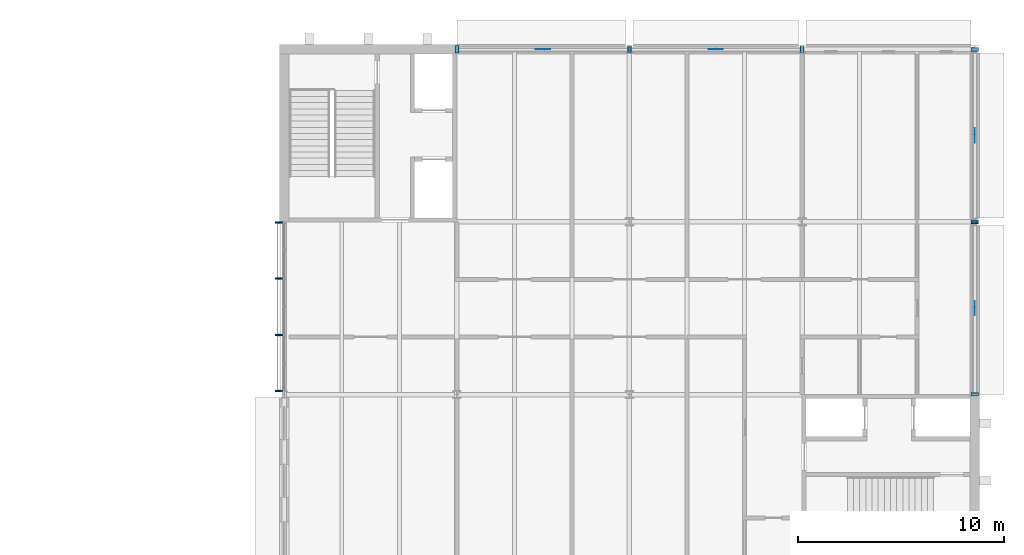
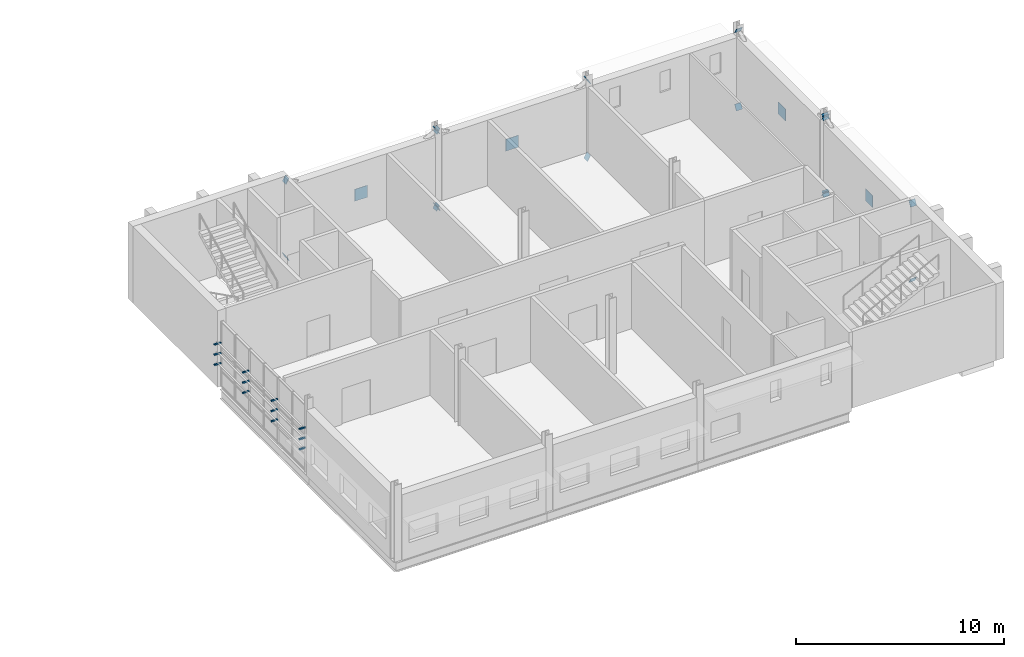
# One storey, part 41 of 42: 32 discrete accessories.
"""IFC4 building model written with IfcOpenShell, lengths in metres."""

from ifc_helpers import new_model, si_unit, direction, frame, origin, origin_2d, place, context, subcontext, project, spatial, rectangle, extrude, material, material_profile, profile_set, type_object, element, save


model = new_model("IFC4")

# Units and contexts
model_context = context("Model", 3, precision=1e-05, world=origin(), true_north=direction((0.0, 1.0)))
body_context = subcontext(model_context, "Body", "Model", "MODEL_VIEW")
ifc_project = project(units=[si_unit("LENGTHUNIT", "METRE"), si_unit("AREAUNIT", "SQUARE_METRE"), si_unit("VOLUMEUNIT", "CUBIC_METRE"), si_unit("PLANEANGLEUNIT", "RADIAN"), si_unit("MASSUNIT", "GRAM", prefix="KILO")], contexts=[model_context])

# Site, building, storey
site_placement = place(None, origin())
site = spatial("IfcSite", under=ifc_project, at=site_placement, CompositionType="ELEMENT")
building_placement = place(site_placement, origin())
building = spatial("IfcBuilding", under=site, at=building_placement, Name="Ardhachandra Cancer Care Centre", CompositionType="ELEMENT")
storey_placement = place(building_placement, frame((0.0, 0.0, 22.5)))
storey = spatial("IfcBuildingStorey", under=building, at=storey_placement, Name="L05", CompositionType="ELEMENT", Elevation=22.5)

# Discrete accessories
ifc_material_1 = material(Name="Steel E250 (IS 2062)", Category="steel")
ifc_material_profile_1 = material_profile(ifc_material_1, rectangle(XDim=0.344482421875, YDim=0.344482421875, at=origin_2d()), Name="PL 344x344x20")
ifc_profile_set_1 = profile_set([ifc_material_profile_1], Name="Steel E250 (IS 2062)")
discrete_accessory_type_1 = type_object("IfcDiscreteAccessoryType", Name="Brace end plate 344 x 344 x 20", PredefinedType="BRACKET", material=ifc_profile_set_1)
for number, where, z_axis, x_axis, name in (
    (1, (120.0, 105.0, -0.425048828125), (0.879291966537, 0.0, 0.476283148541), (0.0, 1.0, 0.0), "Brace end plate V5-X1050-1200 L05 A0"),
    (2, (128.39990234375, 105.0, 4.10009765625), (-0.879291966537, 0.0, -0.476283148541), (0.0, -1.0, 0.0), "Brace end plate V5-X1050-1200 L05 A1"),
    (3, (128.39990234375, 105.0, -0.425048828125), (-0.879291966537, 0.0, 0.476283148541), (0.0, -1.0, 0.0), "Brace end plate V5-X1050-1200 L05 B10"),
    (4, (120.0, 105.0, 4.10009765625), (0.879291966537, 0.0, -0.476283148541), (0.0, 1.0, 0.0), "Brace end plate V5-X1050-1200 L05 B21"),
):
    element("IfcDiscreteAccessory", number, at=place(storey_placement, frame(where, z_axis=z_axis, x_axis=x_axis)), inside=storey, type_object=discrete_accessory_type_1, Name=name, PredefinedType="BRACKET", context=body_context, shape_type="SweptSolid", body=[
        extrude(rectangle(XDim=0.344482421875, YDim=0.344482421875, at=origin_2d()), origin(), (0.0, 0.0, 1.0), 0.02001953125),
    ])
discrete_accessory_1_placement = place(storey_placement, frame((128.39990234375, 105.0, -0.425048828125), z_axis=(0.882018256262, 0.0, 0.471215232798), x_axis=(0.0, 1.0, 0.0)))
element("IfcDiscreteAccessory", 5, at=discrete_accessory_1_placement, inside=storey, type_object=discrete_accessory_type_1, Name="Brace end plate V5-X1050-1284 L05 A0", PredefinedType="BRACKET", context=body_context, shape_type="SweptSolid", body=[
    extrude(rectangle(XDim=0.344482421875, YDim=0.344482421875, at=origin_2d()), origin(), (0.0, 0.0, 1.0), 0.020263671875),
])
for number, where, z_axis, x_axis, name in (
    (6, (136.800048828125, 105.0, 4.10009765625), (-0.879291966537, 0.0, -0.476283148541), (0.0, -1.0, 0.0), "Brace end plate V5-X1050-1284 L05 A1"),
    (7, (136.800048828125, 105.0, -0.425048828125), (-0.879291966537, 0.0, 0.476283148541), (0.0, -1.0, 0.0), "Brace end plate V5-X1050-1284 L05 B10"),
):
    element("IfcDiscreteAccessory", number, at=place(storey_placement, frame(where, z_axis=z_axis, x_axis=x_axis)), inside=storey, type_object=discrete_accessory_type_1, Name=name, PredefinedType="BRACKET", context=body_context, shape_type="SweptSolid", body=[
        extrude(rectangle(XDim=0.344482421875, YDim=0.344482421875, at=origin_2d()), origin(), (0.0, 0.0, 1.0), 0.02001953125),
    ])
discrete_accessory_2_placement = place(storey_placement, frame((128.39990234375, 105.0, 4.10009765625), z_axis=(0.882018256262, 0.0, -0.471215232798), x_axis=(0.0, 1.0, 0.0)))
element("IfcDiscreteAccessory", 8, at=discrete_accessory_2_placement, inside=storey, type_object=discrete_accessory_type_1, Name="Brace end plate V5-X1050-1284 L05 B21", PredefinedType="BRACKET", context=body_context, shape_type="SweptSolid", body=[
    extrude(rectangle(XDim=0.344482421875, YDim=0.344482421875, at=origin_2d()), origin(), (0.0, 0.0, 1.0), 0.020263671875),
])
discrete_accessory_3_placement = place(storey_placement, frame((145.199951171875, 88.199951171875, -0.425048828125), z_axis=(0.0, 0.879291966537, 0.476283148541), x_axis=(-1.0, 0.0, 0.0)))
element("IfcDiscreteAccessory", 9, at=discrete_accessory_3_placement, inside=storey, type_object=discrete_accessory_type_1, Name="Brace end plate V5-Y1452-882 L05 A0", PredefinedType="BRACKET", context=body_context, shape_type="SweptSolid", body=[
    extrude(rectangle(XDim=0.344482421875, YDim=0.344482421875, at=origin_2d()), origin(), (0.0, 0.0, 1.0), 0.02001953125),
])
for number, where, z_axis, x_axis, name in (
    (10, (145.199951171875, 96.60009765625, 4.10009765625), (0.0, -0.882018256262, -0.471215232798), (1.0, 0.0, 0.0), "Brace end plate V5-Y1452-882 L05 A1"),
    (11, (145.199951171875, 96.60009765625, -0.425048828125), (0.0, -0.882018256262, 0.471215232798), (1.0, 0.0, 0.0), "Brace end plate V5-Y1452-882 L05 B10"),
):
    element("IfcDiscreteAccessory", number, at=place(storey_placement, frame(where, z_axis=z_axis, x_axis=x_axis)), inside=storey, type_object=discrete_accessory_type_1, Name=name, PredefinedType="BRACKET", context=body_context, shape_type="SweptSolid", body=[
        extrude(rectangle(XDim=0.344482421875, YDim=0.344482421875, at=origin_2d()), origin(), (0.0, 0.0, 1.0), 0.020263671875),
    ])
for number, where, z_axis, x_axis, name in (
    (12, (145.199951171875, 88.199951171875, 4.10009765625), (0.0, 0.879291966537, -0.476283148541), (-1.0, 0.0, 0.0), "Brace end plate V5-Y1452-882 L05 B21"),
    (13, (145.199951171875, 96.60009765625, -0.425048828125), (0.0, 0.879291966537, 0.476283148541), (-1.0, 0.0, 0.0), "Brace end plate V5-Y1452-966 L05 A0"),
    (14, (145.199951171875, 105.0, 4.10009765625), (0.0, -0.879291966537, -0.476283148541), (1.0, 0.0, 0.0), "Brace end plate V5-Y1452-966 L05 A1"),
    (15, (145.199951171875, 105.0, -0.425048828125), (0.0, -0.879291966537, 0.476283148541), (1.0, 0.0, 0.0), "Brace end plate V5-Y1452-966 L05 B10"),
    (16, (145.199951171875, 96.60009765625, 4.10009765625), (0.0, 0.879291966537, -0.476283148541), (-1.0, 0.0, 0.0), "Brace end plate V5-Y1452-966 L05 B21"),
):
    element("IfcDiscreteAccessory", number, at=place(storey_placement, frame(where, z_axis=z_axis, x_axis=x_axis)), inside=storey, type_object=discrete_accessory_type_1, Name=name, PredefinedType="BRACKET", context=body_context, shape_type="SweptSolid", body=[
        extrude(rectangle(XDim=0.344482421875, YDim=0.344482421875, at=origin_2d()), origin(), (0.0, 0.0, 1.0), 0.02001953125),
    ])
ifc_material_2 = material(Name="Steel E250 (IS 2062)", Category="steel")
ifc_material_profile_2 = material_profile(ifc_material_2, rectangle(XDim=0.699951171875, YDim=0.699951171875, at=origin_2d()), Name="PL 700x700x20")
ifc_profile_set_2 = profile_set([ifc_material_profile_2], Name="Steel E250 (IS 2062)")
discrete_accessory_type_2 = type_object("IfcDiscreteAccessoryType", Name="Brace node plate 700 x 700 x 20", PredefinedType="BRACKET", material=ifc_profile_set_2)
for number, where, z_axis, x_axis, name in (
    (17, (124.199951171875, 104.989990234375, 1.83740234375), (0.0, 1.0, 0.0), (-1.0, 0.0, 0.0), "Brace node plate V5-X1050-1200 L05"),
    (18, (132.60009765625, 104.989990234375, 1.83740234375), (0.0, 1.0, 0.0), (-1.0, 0.0, 0.0), "Brace node plate V5-X1050-1284 L05"),
    (19, (145.18994140625, 92.39990234375, 1.83740234375), (1.0, 0.0, 0.0), (0.0, 1.0, 0.0), "Brace node plate V5-Y1452-882 L05"),
    (20, (145.18994140625, 100.800048828125, 1.83740234375), (1.0, 0.0, 0.0), (0.0, 1.0, 0.0), "Brace node plate V5-Y1452-966 L05"),
):
    element("IfcDiscreteAccessory", number, at=place(storey_placement, frame(where, z_axis=z_axis, x_axis=x_axis)), inside=storey, type_object=discrete_accessory_type_2, Name=name, PredefinedType="BRACKET", context=body_context, shape_type="SweptSolid", body=[
        extrude(rectangle(XDim=0.699951171875, YDim=0.699951171875, at=origin_2d()), origin(), (0.0, 0.0, 1.0), 0.02001953125),
    ])
ifc_material_3 = material(Name="Galvanised flat steel (Steel E250 (IS 2062))", Category="steel")
discrete_accessory_type_3 = type_object("IfcDiscreteAccessoryType", Name="Louvre bracket 80 x 350", PredefinedType="BRACKET", material=ifc_material_3)
for number, where, z_axis, x_axis, name in (
    (21, (111.344970703125, 88.3798828125, 1.38427734375), (0.0, 0.0, 1.0), (0.0, 1.0, 0.0), "Louvre bracket L05/w/0111600_0088200 1.1"),
    (22, (111.344970703125, 91.10009765625, 1.38427734375), (0.0, 0.0, 1.0), (0.0, 1.0, 0.0), "Louvre bracket L05/w/0111600_0088200 1.2"),
    (23, (111.344970703125, 93.85009765625, 1.38427734375), (0.0, 0.0, 1.0), (0.0, 1.0, 0.0), "Louvre bracket L05/w/0111600_0088200 1.3"),
    (24, (111.344970703125, 96.570068359375, 1.38427734375), (0.0, 0.0, 1.0), (0.0, 1.0, 0.0), "Louvre bracket L05/w/0111600_0088200 1.4"),
    (25, (111.344970703125, 88.3798828125, 1.984375), (0.0, 0.0, 1.0), (0.0, 1.0, 0.0), "Louvre bracket L05/w/0111600_0088200 2.1"),
    (26, (111.344970703125, 91.10009765625, 1.984375), (0.0, 0.0, 1.0), (0.0, 1.0, 0.0), "Louvre bracket L05/w/0111600_0088200 2.2"),
    (27, (111.344970703125, 93.85009765625, 1.984375), (0.0, 0.0, 1.0), (0.0, 1.0, 0.0), "Louvre bracket L05/w/0111600_0088200 2.3"),
    (28, (111.344970703125, 96.570068359375, 1.984375), (0.0, 0.0, 1.0), (0.0, 1.0, 0.0), "Louvre bracket L05/w/0111600_0088200 2.4"),
    (29, (111.344970703125, 88.3798828125, 2.58447265625), (0.0, 0.0, 1.0), (0.0, 1.0, 0.0), "Louvre bracket L05/w/0111600_0088200 3.1"),
    (30, (111.344970703125, 91.10009765625, 2.58447265625), (0.0, 0.0, 1.0), (0.0, 1.0, 0.0), "Louvre bracket L05/w/0111600_0088200 3.2"),
    (31, (111.344970703125, 93.85009765625, 2.58447265625), (0.0, 0.0, 1.0), (0.0, 1.0, 0.0), "Louvre bracket L05/w/0111600_0088200 3.3"),
    (32, (111.344970703125, 96.570068359375, 2.58447265625), (0.0, 0.0, 1.0), (0.0, 1.0, 0.0), "Louvre bracket L05/w/0111600_0088200 3.4"),
):
    element("IfcDiscreteAccessory", number, at=place(storey_placement, frame(where, z_axis=z_axis, x_axis=x_axis)), inside=storey, type_object=discrete_accessory_type_3, Name=name, PredefinedType="BRACKET", context=body_context, shape_type="SweptSolid", body=[
        extrude(rectangle(XDim=0.080078125, YDim=0.35009765625, at=origin_2d()), origin(), (0.0, 0.0, 1.0), 0.050048828125),
    ])

save(model, "model.ifc")
